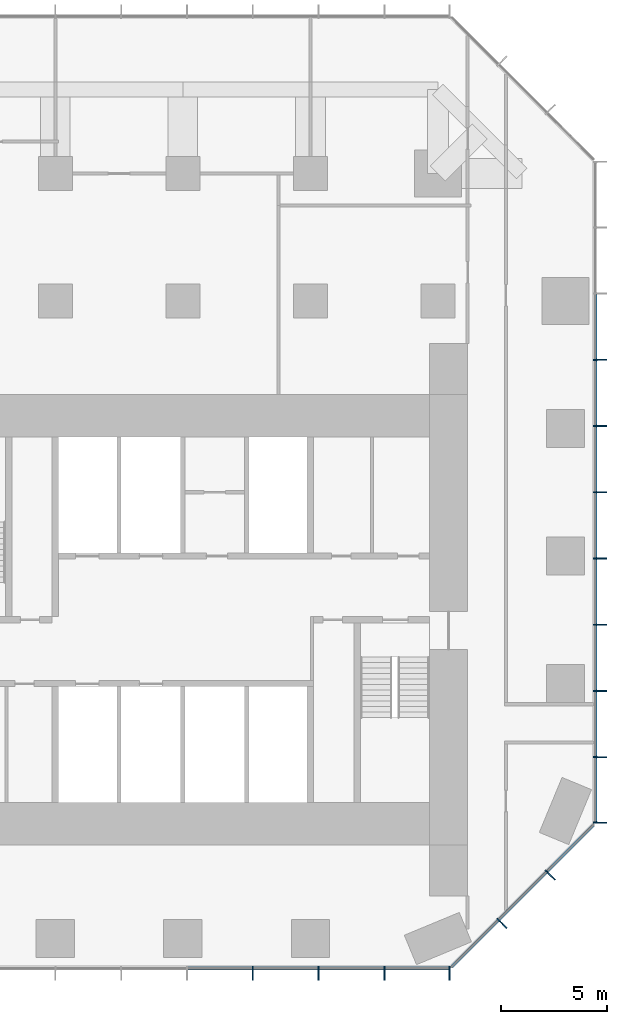
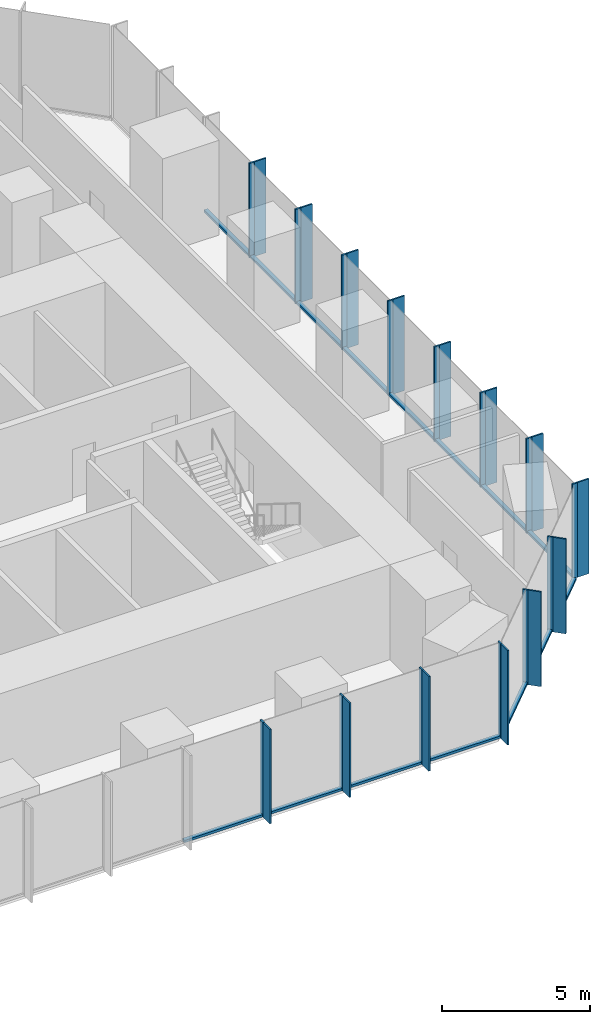
# One storey, part 4 of 11: 43 members, 3 elements without a shape of their own.
"""IFC4 building model written with IfcOpenShell, lengths in metres."""

from ifc_helpers import new_model, si_unit, direction, frame, origin, origin_2d, place, context, subcontext, project, spatial, rectangle, extrude, material, layer, layer_set, material_profile, profile_set, type_object, element, aggregate, save


model = new_model("IFC4")

# Units and contexts
model_context = context("Model", 3, precision=1e-05, world=origin(), true_north=direction((0.0, 1.0)))
body_context = subcontext(model_context, "Body", "Model", "MODEL_VIEW")
ifc_project = project(units=[si_unit("LENGTHUNIT", "METRE"), si_unit("AREAUNIT", "SQUARE_METRE"), si_unit("VOLUMEUNIT", "CUBIC_METRE"), si_unit("PLANEANGLEUNIT", "RADIAN"), si_unit("MASSUNIT", "GRAM", prefix="KILO")], contexts=[model_context])

# Site, building, storey
site_placement = place(None, origin())
site = spatial("IfcSite", under=ifc_project, at=site_placement, CompositionType="ELEMENT")
building_placement = place(site_placement, origin())
building = spatial("IfcBuilding", under=site, at=building_placement, Name="Highveld Stack Headquarters", CompositionType="ELEMENT")
storey_placement = place(building_placement, frame((0.0, 0.0, 105.5)))
storey = spatial("IfcBuildingStorey", under=building, at=storey_placement, Name="L25", CompositionType="ELEMENT", Elevation=105.5)

# Curtain wall, members
ifc_material_1 = material(Name="Aluminium bronze anodised", Category="aluminium")
ifc_layer_1 = layer(ifc_material_1, 0.199951171875)
ifc_layer_set_1 = layer_set([ifc_layer_1], Name="Aluminium bronze anodised")
curtain_wall_type_1 = type_object("IfcCurtainWallType", Name="CW1 TOWER UNITISED CURTAIN WALL", PredefinedType="NOTDEFINED", material=ifc_layer_set_1)
curtain_wall_1_placement = place(storey_placement, origin())
curtain_wall_1 = element("IfcCurtainWall", 1, at=curtain_wall_1_placement, inside=storey, type_object=curtain_wall_type_1, Name="Curtain wall CW1 L25 S", PredefinedType="NOTDEFINED")
ifc_material_2 = material(Name="Aluminium bronze anodised", Category="aluminium")
ifc_material_profile_1 = material_profile(ifc_material_2, rectangle(XDim=0.449951171875, YDim=0.06005859375, at=origin_2d()), Name="FIN 450x60")
ifc_profile_set_1 = profile_set([ifc_material_profile_1], Name="Aluminium bronze anodised")
member_type_1 = type_object("IfcMemberType", Name="CW1 BRONZE FIN 450x60", PredefinedType="USERDEFINED", material=ifc_profile_set_1)
member_1_placement = place(storey_placement, frame((9.2900390625, -13.72509765625, 0.0), z_axis=(0.0, 0.0, 1.0), x_axis=(0.0, 1.0, 0.0)))
member_1 = element("IfcMember", 2, at=member_1_placement, type_object=member_type_1, Name="CW1 fin L25 10", ObjectType="FIN", PredefinedType="USERDEFINED", context=body_context, shape_type="SweptSolid", body=[
    extrude(rectangle(XDim=0.449951171875, YDim=0.06005859375, at=origin_2d()), origin(), (0.0, 0.0, 1.0), 3.89990234375),
])
member_2_placement = place(storey_placement, frame((12.38671875, -13.72509765625, 0.0), z_axis=(0.0, 0.0, 1.0), x_axis=(0.0, 1.0, 0.0)))
member_2 = element("IfcMember", 3, at=member_2_placement, type_object=member_type_1, Name="CW1 fin L25 11", ObjectType="FIN", PredefinedType="USERDEFINED", context=body_context, shape_type="SweptSolid", body=[
    extrude(rectangle(XDim=0.449951171875, YDim=0.06005859375, at=origin_2d()), origin(), (0.0, 0.0, 1.0), 3.89990234375),
])
member_3_placement = place(storey_placement, frame((15.4833984375, -13.72509765625, 0.0), z_axis=(0.0, 0.0, 1.0), x_axis=(0.0, 1.0, 0.0)))
member_3 = element("IfcMember", 4, at=member_3_placement, type_object=member_type_1, Name="CW1 fin L25 12", ObjectType="FIN", PredefinedType="USERDEFINED", context=body_context, shape_type="SweptSolid", body=[
    extrude(rectangle(XDim=0.449951171875, YDim=0.06005859375, at=origin_2d()), origin(), (0.0, 0.0, 1.0), 3.89990234375),
])
member_4_placement = place(storey_placement, frame((18.54736328125, -13.72509765625, 0.0), z_axis=(0.0, 0.0, 1.0), x_axis=(0.0, 1.0, 0.0)))
member_4 = element("IfcMember", 5, at=member_4_placement, type_object=member_type_1, Name="CW1 fin L25 13", ObjectType="FIN", PredefinedType="USERDEFINED", context=body_context, shape_type="SweptSolid", body=[
    extrude(rectangle(XDim=0.449951171875, YDim=0.06005859375, at=origin_2d()), origin(), (0.0, 0.0, 1.0), 3.89990234375),
])

curtain_wall_2_placement = place(storey_placement, origin())
curtain_wall_2 = element("IfcCurtainWall", 6, at=curtain_wall_2_placement, inside=storey, type_object=curtain_wall_type_1, Name="Curtain wall CW1 L25 E", PredefinedType="NOTDEFINED")
member_5_placement = place(storey_placement, frame((25.72509765625, -6.54736328125, 0.0), z_axis=(0.0, 0.0, 1.0), x_axis=(-1.0, 0.0, 0.0)))
member_5 = element("IfcMember", 7, at=member_5_placement, type_object=member_type_1, Name="CW1 fin L25 1", ObjectType="FIN", PredefinedType="USERDEFINED", context=body_context, shape_type="SweptSolid", body=[
    extrude(rectangle(XDim=0.449951171875, YDim=0.06005859375, at=origin_2d()), origin(), (0.0, 0.0, 1.0), 3.89990234375),
])
member_6_placement = place(storey_placement, frame((25.72509765625, -3.4638671875, 0.0), z_axis=(0.0, 0.0, 1.0), x_axis=(-1.0, 0.0, 0.0)))
member_6 = element("IfcMember", 8, at=member_6_placement, type_object=member_type_1, Name="CW1 fin L25 2", ObjectType="FIN", PredefinedType="USERDEFINED", context=body_context, shape_type="SweptSolid", body=[
    extrude(rectangle(XDim=0.449951171875, YDim=0.06005859375, at=origin_2d()), origin(), (0.0, 0.0, 1.0), 3.89990234375),
])
member_7_placement = place(storey_placement, frame((25.72509765625, -0.347900390625, 0.0), z_axis=(0.0, 0.0, 1.0), x_axis=(-1.0, 0.0, 0.0)))
member_7 = element("IfcMember", 9, at=member_7_placement, type_object=member_type_1, Name="CW1 fin L25 3", ObjectType="FIN", PredefinedType="USERDEFINED", context=body_context, shape_type="SweptSolid", body=[
    extrude(rectangle(XDim=0.449951171875, YDim=0.06005859375, at=origin_2d()), origin(), (0.0, 0.0, 1.0), 3.89990234375),
])
member_8_placement = place(storey_placement, frame((25.72509765625, 2.76806640625, 0.0), z_axis=(0.0, 0.0, 1.0), x_axis=(-1.0, 0.0, 0.0)))
member_8 = element("IfcMember", 10, at=member_8_placement, type_object=member_type_1, Name="CW1 fin L25 4", ObjectType="FIN", PredefinedType="USERDEFINED", context=body_context, shape_type="SweptSolid", body=[
    extrude(rectangle(XDim=0.449951171875, YDim=0.06005859375, at=origin_2d()), origin(), (0.0, 0.0, 1.0), 3.89990234375),
])
member_9_placement = place(storey_placement, frame((25.72509765625, 5.884033203125, 0.0), z_axis=(0.0, 0.0, 1.0), x_axis=(-1.0, 0.0, 0.0)))
member_9 = element("IfcMember", 11, at=member_9_placement, type_object=member_type_1, Name="CW1 fin L25 5", ObjectType="FIN", PredefinedType="USERDEFINED", context=body_context, shape_type="SweptSolid", body=[
    extrude(rectangle(XDim=0.449951171875, YDim=0.06005859375, at=origin_2d()), origin(), (0.0, 0.0, 1.0), 3.89990234375),
])
member_10_placement = place(storey_placement, frame((25.72509765625, 9.0, 0.0), z_axis=(0.0, 0.0, 1.0), x_axis=(-1.0, 0.0, 0.0)))
member_10 = element("IfcMember", 12, at=member_10_placement, type_object=member_type_1, Name="CW1 fin L25 6", ObjectType="FIN", PredefinedType="USERDEFINED", context=body_context, shape_type="SweptSolid", body=[
    extrude(rectangle(XDim=0.449951171875, YDim=0.06005859375, at=origin_2d()), origin(), (0.0, 0.0, 1.0), 3.89990234375),
])
member_11_placement = place(storey_placement, frame((25.72509765625, 12.115966796875, 0.0), z_axis=(0.0, 0.0, 1.0), x_axis=(-1.0, 0.0, 0.0)))
member_11 = element("IfcMember", 13, at=member_11_placement, type_object=member_type_1, Name="CW1 fin L25 7", ObjectType="FIN", PredefinedType="USERDEFINED", context=body_context, shape_type="SweptSolid", body=[
    extrude(rectangle(XDim=0.449951171875, YDim=0.06005859375, at=origin_2d()), origin(), (0.0, 0.0, 1.0), 3.89990234375),
])
member_12_placement = place(storey_placement, frame((25.72509765625, 15.23193359375, 0.0), z_axis=(0.0, 0.0, 1.0), x_axis=(-1.0, 0.0, 0.0)))
member_12 = element("IfcMember", 14, at=member_12_placement, type_object=member_type_1, Name="CW1 fin L25 8", ObjectType="FIN", PredefinedType="USERDEFINED", context=body_context, shape_type="SweptSolid", body=[
    extrude(rectangle(XDim=0.449951171875, YDim=0.06005859375, at=origin_2d()), origin(), (0.0, 0.0, 1.0), 3.89990234375),
])

# Member
ifc_material_3 = material(Name="Aluminium bronze anodised", Category="aluminium")
ifc_material_profile_2 = material_profile(ifc_material_3, rectangle(XDim=0.199951171875, YDim=0.06494140625, at=origin_2d()), Name="CW1 MULLION 65x200")
ifc_profile_set_2 = profile_set([ifc_material_profile_2], Name="Aluminium bronze anodised")
member_type_2 = type_object("IfcMemberType", Name="CW1 MULLION 65x200", PredefinedType="MULLION", material=ifc_profile_set_2)
member_13_placement = place(storey_placement, frame((9.2900390625, -13.39990234375, 0.0), z_axis=(0.0, 0.0, 1.0), x_axis=(0.0, 1.0, 0.0)))
member_13 = element("IfcMember", 15, at=member_13_placement, type_object=member_type_2, Name="CW1 mullion L25 10", PredefinedType="MULLION", context=body_context, shape_type="SweptSolid", body=[
    extrude(rectangle(XDim=0.199951171875, YDim=0.06494140625, at=origin_2d()), origin(), (0.0, 0.0, 1.0), 3.89990234375),
])

member_14_placement = place(storey_placement, frame((12.38671875, -13.39990234375, 0.0), z_axis=(0.0, 0.0, 1.0), x_axis=(0.0, 1.0, 0.0)))
member_14 = element("IfcMember", 16, at=member_14_placement, type_object=member_type_2, Name="CW1 mullion L25 11", PredefinedType="MULLION", context=body_context, shape_type="SweptSolid", body=[
    extrude(rectangle(XDim=0.199951171875, YDim=0.06494140625, at=origin_2d()), origin(), (0.0, 0.0, 1.0), 3.89990234375),
])

member_15_placement = place(storey_placement, frame((15.4833984375, -13.39990234375, 0.0), z_axis=(0.0, 0.0, 1.0), x_axis=(0.0, 1.0, 0.0)))
member_15 = element("IfcMember", 17, at=member_15_placement, type_object=member_type_2, Name="CW1 mullion L25 12", PredefinedType="MULLION", context=body_context, shape_type="SweptSolid", body=[
    extrude(rectangle(XDim=0.199951171875, YDim=0.06494140625, at=origin_2d()), origin(), (0.0, 0.0, 1.0), 3.89990234375),
])

member_16_placement = place(storey_placement, frame((18.54736328125, -13.39990234375, 0.0), z_axis=(0.0, 0.0, 1.0), x_axis=(0.0, 1.0, 0.0)))
member_16 = element("IfcMember", 18, at=member_16_placement, type_object=member_type_2, Name="CW1 mullion L25 13", PredefinedType="MULLION", context=body_context, shape_type="SweptSolid", body=[
    extrude(rectangle(XDim=0.199951171875, YDim=0.06494140625, at=origin_2d()), origin(), (0.0, 0.0, 1.0), 3.89990234375),
])

member_17_placement = place(storey_placement, frame((25.39990234375, -6.54736328125, 0.0), z_axis=(0.0, 0.0, 1.0), x_axis=(-1.0, 0.0, 0.0)))
member_17 = element("IfcMember", 19, at=member_17_placement, type_object=member_type_2, Name="CW1 mullion L25 1", PredefinedType="MULLION", context=body_context, shape_type="SweptSolid", body=[
    extrude(rectangle(XDim=0.199951171875, YDim=0.06494140625, at=origin_2d()), origin(), (0.0, 0.0, 1.0), 3.89990234375),
])

member_18_placement = place(storey_placement, frame((25.39990234375, -3.4638671875, 0.0), z_axis=(0.0, 0.0, 1.0), x_axis=(-1.0, 0.0, 0.0)))
member_18 = element("IfcMember", 20, at=member_18_placement, type_object=member_type_2, Name="CW1 mullion L25 2", PredefinedType="MULLION", context=body_context, shape_type="SweptSolid", body=[
    extrude(rectangle(XDim=0.199951171875, YDim=0.06494140625, at=origin_2d()), origin(), (0.0, 0.0, 1.0), 3.89990234375),
])

member_19_placement = place(storey_placement, frame((25.39990234375, -0.347900390625, 0.0), z_axis=(0.0, 0.0, 1.0), x_axis=(-1.0, 0.0, 0.0)))
member_19 = element("IfcMember", 21, at=member_19_placement, type_object=member_type_2, Name="CW1 mullion L25 3", PredefinedType="MULLION", context=body_context, shape_type="SweptSolid", body=[
    extrude(rectangle(XDim=0.199951171875, YDim=0.06494140625, at=origin_2d()), origin(), (0.0, 0.0, 1.0), 3.89990234375),
])

member_20_placement = place(storey_placement, frame((25.39990234375, 2.76806640625, 0.0), z_axis=(0.0, 0.0, 1.0), x_axis=(-1.0, 0.0, 0.0)))
member_20 = element("IfcMember", 22, at=member_20_placement, type_object=member_type_2, Name="CW1 mullion L25 4", PredefinedType="MULLION", context=body_context, shape_type="SweptSolid", body=[
    extrude(rectangle(XDim=0.199951171875, YDim=0.06494140625, at=origin_2d()), origin(), (0.0, 0.0, 1.0), 3.89990234375),
])

member_21_placement = place(storey_placement, frame((25.39990234375, 5.884033203125, 0.0), z_axis=(0.0, 0.0, 1.0), x_axis=(-1.0, 0.0, 0.0)))
member_21 = element("IfcMember", 23, at=member_21_placement, type_object=member_type_2, Name="CW1 mullion L25 5", PredefinedType="MULLION", context=body_context, shape_type="SweptSolid", body=[
    extrude(rectangle(XDim=0.199951171875, YDim=0.06494140625, at=origin_2d()), origin(), (0.0, 0.0, 1.0), 3.89990234375),
])

member_22_placement = place(storey_placement, frame((25.39990234375, 9.0, 0.0), z_axis=(0.0, 0.0, 1.0), x_axis=(-1.0, 0.0, 0.0)))
member_22 = element("IfcMember", 24, at=member_22_placement, type_object=member_type_2, Name="CW1 mullion L25 6", PredefinedType="MULLION", context=body_context, shape_type="SweptSolid", body=[
    extrude(rectangle(XDim=0.199951171875, YDim=0.06494140625, at=origin_2d()), origin(), (0.0, 0.0, 1.0), 3.89990234375),
])

member_23_placement = place(storey_placement, frame((25.39990234375, 12.115966796875, 0.0), z_axis=(0.0, 0.0, 1.0), x_axis=(-1.0, 0.0, 0.0)))
member_23 = element("IfcMember", 25, at=member_23_placement, type_object=member_type_2, Name="CW1 mullion L25 7", PredefinedType="MULLION", context=body_context, shape_type="SweptSolid", body=[
    extrude(rectangle(XDim=0.199951171875, YDim=0.06494140625, at=origin_2d()), origin(), (0.0, 0.0, 1.0), 3.89990234375),
])

member_24_placement = place(storey_placement, frame((25.39990234375, 15.23193359375, 0.0), z_axis=(0.0, 0.0, 1.0), x_axis=(-1.0, 0.0, 0.0)))
member_24 = element("IfcMember", 26, at=member_24_placement, type_object=member_type_2, Name="CW1 mullion L25 8", PredefinedType="MULLION", context=body_context, shape_type="SweptSolid", body=[
    extrude(rectangle(XDim=0.199951171875, YDim=0.06494140625, at=origin_2d()), origin(), (0.0, 0.0, 1.0), 3.89990234375),
])

ifc_material_4 = material(Name="Aluminium bronze anodised", Category="aluminium")
ifc_material_profile_3 = material_profile(ifc_material_4, rectangle(XDim=0.14990234375, YDim=0.10009765625, at=origin_2d()), Name="CW1 TRANSOM 150x100")
ifc_profile_set_3 = profile_set([ifc_material_profile_3], Name="Aluminium bronze anodised")
member_type_3 = type_object("IfcMemberType", Name="CW1 STACK TRANSOM 150x100", PredefinedType="USERDEFINED", material=ifc_profile_set_3)
member_25_placement = place(storey_placement, frame((6.225830078125, -13.39990234375, 0.050048828125), z_axis=(1.0, 0.0, 0.0), x_axis=(0.0, 1.0, 0.0)))
member_25 = element("IfcMember", 27, at=member_25_placement, type_object=member_type_3, Name="CW1 transom L25 9.1", ObjectType="TRANSOM", PredefinedType="USERDEFINED", context=body_context, shape_type="SweptSolid", body=[
    extrude(rectangle(XDim=0.14990234375, YDim=0.10009765625, at=origin_2d()), origin(), (0.0, 0.0, 1.0), 3.03173828125),
])

member_26_placement = place(storey_placement, frame((9.322509765625, -13.39990234375, 0.050048828125), z_axis=(1.0, 0.0, 0.0), x_axis=(0.0, 1.0, 0.0)))
member_26 = element("IfcMember", 28, at=member_26_placement, type_object=member_type_3, Name="CW1 transom L25 10.1", ObjectType="TRANSOM", PredefinedType="USERDEFINED", context=body_context, shape_type="SweptSolid", body=[
    extrude(rectangle(XDim=0.14990234375, YDim=0.10009765625, at=origin_2d()), origin(), (0.0, 0.0, 1.0), 3.031494140625),
])

member_27_placement = place(storey_placement, frame((12.419189453125, -13.39990234375, 0.050048828125), z_axis=(1.0, 0.0, 0.0), x_axis=(0.0, 1.0, 0.0)))
member_27 = element("IfcMember", 29, at=member_27_placement, type_object=member_type_3, Name="CW1 transom L25 11.1", ObjectType="TRANSOM", PredefinedType="USERDEFINED", context=body_context, shape_type="SweptSolid", body=[
    extrude(rectangle(XDim=0.14990234375, YDim=0.10009765625, at=origin_2d()), origin(), (0.0, 0.0, 1.0), 3.031494140625),
])

member_28_placement = place(storey_placement, frame((15.515869140625, -13.39990234375, 0.050048828125), z_axis=(1.0, 0.0, 0.0), x_axis=(0.0, 1.0, 0.0)))
member_28 = element("IfcMember", 30, at=member_28_placement, type_object=member_type_3, Name="CW1 transom L25 12.1", ObjectType="TRANSOM", PredefinedType="USERDEFINED", context=body_context, shape_type="SweptSolid", body=[
    extrude(rectangle(XDim=0.14990234375, YDim=0.10009765625, at=origin_2d()), origin(), (0.0, 0.0, 1.0), 2.9990234375),
])

aggregate(curtain_wall_1, [member_13, member_1, member_14, member_2, member_15, member_3, member_16, member_4, member_25, member_26, member_27, member_28])

member_29_placement = place(storey_placement, frame((25.39990234375, -6.514892578125, 0.050048828125), z_axis=(0.0, 1.0, 0.0), x_axis=(-1.0, 0.0, 0.0)))
member_29 = element("IfcMember", 31, at=member_29_placement, type_object=member_type_3, Name="CW1 transom L25 1.1", ObjectType="TRANSOM", PredefinedType="USERDEFINED", context=body_context, shape_type="SweptSolid", body=[
    extrude(rectangle(XDim=0.14990234375, YDim=0.10009765625, at=origin_2d()), origin(), (0.0, 0.0, 1.0), 3.0185546875),
])

member_30_placement = place(storey_placement, frame((25.39990234375, -3.431396484375, 0.050048828125), z_axis=(0.0, 1.0, 0.0), x_axis=(-1.0, 0.0, 0.0)))
member_30 = element("IfcMember", 32, at=member_30_placement, type_object=member_type_3, Name="CW1 transom L25 2.1", ObjectType="TRANSOM", PredefinedType="USERDEFINED", context=body_context, shape_type="SweptSolid", body=[
    extrude(rectangle(XDim=0.14990234375, YDim=0.10009765625, at=origin_2d()), origin(), (0.0, 0.0, 1.0), 3.051025390625),
])

member_31_placement = place(storey_placement, frame((25.39990234375, -0.3154296875, 0.050048828125), z_axis=(0.0, 1.0, 0.0), x_axis=(-1.0, 0.0, 0.0)))
member_31 = element("IfcMember", 33, at=member_31_placement, type_object=member_type_3, Name="CW1 transom L25 3.1", ObjectType="TRANSOM", PredefinedType="USERDEFINED", context=body_context, shape_type="SweptSolid", body=[
    extrude(rectangle(XDim=0.14990234375, YDim=0.10009765625, at=origin_2d()), origin(), (0.0, 0.0, 1.0), 3.051025390625),
])

member_32_placement = place(storey_placement, frame((25.39990234375, 2.800537109375, 0.050048828125), z_axis=(0.0, 1.0, 0.0), x_axis=(-1.0, 0.0, 0.0)))
member_32 = element("IfcMember", 34, at=member_32_placement, type_object=member_type_3, Name="CW1 transom L25 4.1", ObjectType="TRANSOM", PredefinedType="USERDEFINED", context=body_context, shape_type="SweptSolid", body=[
    extrude(rectangle(XDim=0.14990234375, YDim=0.10009765625, at=origin_2d()), origin(), (0.0, 0.0, 1.0), 3.051025390625),
])

member_33_placement = place(storey_placement, frame((25.39990234375, 5.91650390625, 0.050048828125), z_axis=(0.0, 1.0, 0.0), x_axis=(-1.0, 0.0, 0.0)))
member_33 = element("IfcMember", 35, at=member_33_placement, type_object=member_type_3, Name="CW1 transom L25 5.1", ObjectType="TRANSOM", PredefinedType="USERDEFINED", context=body_context, shape_type="SweptSolid", body=[
    extrude(rectangle(XDim=0.14990234375, YDim=0.10009765625, at=origin_2d()), origin(), (0.0, 0.0, 1.0), 3.051025390625),
])

member_34_placement = place(storey_placement, frame((25.39990234375, 9.032470703125, 0.050048828125), z_axis=(0.0, 1.0, 0.0), x_axis=(-1.0, 0.0, 0.0)))
member_34 = element("IfcMember", 36, at=member_34_placement, type_object=member_type_3, Name="CW1 transom L25 6.1", ObjectType="TRANSOM", PredefinedType="USERDEFINED", context=body_context, shape_type="SweptSolid", body=[
    extrude(rectangle(XDim=0.14990234375, YDim=0.10009765625, at=origin_2d()), origin(), (0.0, 0.0, 1.0), 3.051025390625),
])

member_35_placement = place(storey_placement, frame((25.39990234375, 12.1484375, 0.050048828125), z_axis=(0.0, 1.0, 0.0), x_axis=(-1.0, 0.0, 0.0)))
member_35 = element("IfcMember", 37, at=member_35_placement, type_object=member_type_3, Name="CW1 transom L25 7.1", ObjectType="TRANSOM", PredefinedType="USERDEFINED", context=body_context, shape_type="SweptSolid", body=[
    extrude(rectangle(XDim=0.14990234375, YDim=0.10009765625, at=origin_2d()), origin(), (0.0, 0.0, 1.0), 3.051025390625),
])

member_36_placement = place(storey_placement, frame((25.39990234375, 15.264404296875, 0.050048828125), z_axis=(0.0, 1.0, 0.0), x_axis=(-1.0, 0.0, 0.0)))
member_36 = element("IfcMember", 38, at=member_36_placement, type_object=member_type_3, Name="CW1 transom L25 8.1", ObjectType="TRANSOM", PredefinedType="USERDEFINED", context=body_context, shape_type="SweptSolid", body=[
    extrude(rectangle(XDim=0.14990234375, YDim=0.10009765625, at=origin_2d()), origin(), (0.0, 0.0, 1.0), 3.051025390625),
])

aggregate(curtain_wall_2, [member_17, member_5, member_18, member_6, member_19, member_7, member_20, member_8, member_21, member_9, member_22, member_10, member_23, member_11, member_24, member_12, member_29, member_30, member_31, member_32, member_33, member_34, member_35, member_36])

# Curtain wall, members
ifc_material_5 = material(Name="Aluminium bronze anodised", Category="aluminium")
ifc_layer_2 = layer(ifc_material_5, 0.199951171875)
ifc_layer_set_2 = layer_set([ifc_layer_2], Name="Aluminium bronze anodised")
curtain_wall_type_2 = type_object("IfcCurtainWallType", Name="CW2 TOWER CHAMFER UNITISED CURTAIN WALL", PredefinedType="NOTDEFINED", material=ifc_layer_set_2)
curtain_wall_3_placement = place(storey_placement, origin())
curtain_wall_3 = element("IfcCurtainWall", 39, at=curtain_wall_3_placement, inside=storey, type_object=curtain_wall_type_2, Name="Curtain wall CW2 L25 SE", PredefinedType="NOTDEFINED")
ifc_material_6 = material(Name="Aluminium bronze anodised", Category="aluminium")
ifc_material_profile_4 = material_profile(ifc_material_6, rectangle(XDim=0.449951171875, YDim=0.06005859375, at=origin_2d()), Name="FIN 450x60")
ifc_profile_set_4 = profile_set([ifc_material_profile_4], Name="Aluminium bronze anodised")
member_type_4 = type_object("IfcMemberType", Name="CW2 BRONZE FIN 450x60", PredefinedType="USERDEFINED", material=ifc_profile_set_4)
member_37_placement = place(storey_placement, frame((21.0830078125, -11.3564453125, 0.0), z_axis=(0.0, 0.0, 1.0), x_axis=(-0.707106781187, 0.707106781187, 0.0)))
member_37 = element("IfcMember", 40, at=member_37_placement, type_object=member_type_4, Name="CW2 fin L25 1", ObjectType="FIN", PredefinedType="USERDEFINED", context=body_context, shape_type="SweptSolid", body=[
    extrude(rectangle(XDim=0.449951171875, YDim=0.06005859375, at=origin_2d()), origin(), (0.0, 0.0, 1.0), 3.89990234375),
])
member_38_placement = place(storey_placement, frame((23.3564453125, -9.0830078125, 0.0), z_axis=(0.0, 0.0, 1.0), x_axis=(-0.707106781187, 0.707106781187, 0.0)))
member_38 = element("IfcMember", 41, at=member_38_placement, type_object=member_type_4, Name="CW2 fin L25 2", ObjectType="FIN", PredefinedType="USERDEFINED", context=body_context, shape_type="SweptSolid", body=[
    extrude(rectangle(XDim=0.449951171875, YDim=0.06005859375, at=origin_2d()), origin(), (0.0, 0.0, 1.0), 3.89990234375),
])
ifc_material_7 = material(Name="Aluminium bronze anodised", Category="aluminium")
ifc_material_profile_5 = material_profile(ifc_material_7, rectangle(XDim=0.199951171875, YDim=0.06494140625, at=origin_2d()), Name="CW2 MULLION 65x200")
ifc_profile_set_5 = profile_set([ifc_material_profile_5], Name="Aluminium bronze anodised")
member_type_5 = type_object("IfcMemberType", Name="CW2 MULLION 65x200", PredefinedType="MULLION", material=ifc_profile_set_5)
member_39_placement = place(storey_placement, frame((20.853271484375, -11.126708984375, 0.0), z_axis=(0.0, 0.0, 1.0), x_axis=(-0.707106781187, 0.707106781187, 0.0)))
member_39 = element("IfcMember", 42, at=member_39_placement, type_object=member_type_5, Name="CW2 mullion L25 1", PredefinedType="MULLION", context=body_context, shape_type="SweptSolid", body=[
    extrude(rectangle(XDim=0.199951171875, YDim=0.06494140625, at=origin_2d()), origin(), (0.0, 0.0, 1.0), 3.89990234375),
])
member_40_placement = place(storey_placement, frame((23.126708984375, -8.853271484375, 0.0), z_axis=(0.0, 0.0, 1.0), x_axis=(-0.707106781187, 0.707106781187, 0.0)))
member_40 = element("IfcMember", 43, at=member_40_placement, type_object=member_type_5, Name="CW2 mullion L25 2", PredefinedType="MULLION", context=body_context, shape_type="SweptSolid", body=[
    extrude(rectangle(XDim=0.199951171875, YDim=0.06494140625, at=origin_2d()), origin(), (0.0, 0.0, 1.0), 3.89990234375),
])
ifc_material_8 = material(Name="Aluminium bronze anodised", Category="aluminium")
ifc_material_profile_6 = material_profile(ifc_material_8, rectangle(XDim=0.14990234375, YDim=0.10009765625, at=origin_2d()), Name="CW2 TRANSOM 150x100")
ifc_profile_set_6 = profile_set([ifc_material_profile_6], Name="Aluminium bronze anodised")
member_type_6 = type_object("IfcMemberType", Name="CW2 STACK TRANSOM 150x100", PredefinedType="USERDEFINED", material=ifc_profile_set_6)
member_41_placement = place(storey_placement, frame((18.650634765625, -13.329345703125, 0.050048828125), z_axis=(0.707106781187, 0.707106781187, 0.0), x_axis=(-0.707106781187, 0.707106781187, 0.0)))
member_41 = element("IfcMember", 44, at=member_41_placement, type_object=member_type_6, Name="CW2 transom L25 1.1", ObjectType="TRANSOM", PredefinedType="USERDEFINED", context=body_context, shape_type="SweptSolid", body=[
    extrude(rectangle(XDim=0.14990234375, YDim=0.10009765625, at=origin_2d()), origin(), (0.0, 0.0, 1.0), 3.08251953125),
])
member_42_placement = place(storey_placement, frame((20.876220703125, -11.103759765625, 0.050048828125), z_axis=(0.707106781187, 0.707106781187, 0.0), x_axis=(-0.707106781187, 0.707106781187, 0.0)))
member_42 = element("IfcMember", 45, at=member_42_placement, type_object=member_type_6, Name="CW2 transom L25 2.1", ObjectType="TRANSOM", PredefinedType="USERDEFINED", context=body_context, shape_type="SweptSolid", body=[
    extrude(rectangle(XDim=0.14990234375, YDim=0.10009765625, at=origin_2d()), origin(), (0.0, 0.0, 1.0), 3.150146484375),
])
member_43_placement = place(storey_placement, frame((23.149658203125, -8.830322265625, 0.050048828125), z_axis=(0.707106781187, 0.707106781187, 0.0), x_axis=(-0.707106781187, 0.707106781187, 0.0)))
member_43 = element("IfcMember", 46, at=member_43_placement, type_object=member_type_6, Name="CW2 transom L25 3.1", ObjectType="TRANSOM", PredefinedType="USERDEFINED", context=body_context, shape_type="SweptSolid", body=[
    extrude(rectangle(XDim=0.14990234375, YDim=0.10009765625, at=origin_2d()), origin(), (0.0, 0.0, 1.0), 3.08251953125),
])
aggregate(curtain_wall_3, [member_39, member_37, member_40, member_38, member_41, member_42, member_43])

save(model, "model.ifc")
